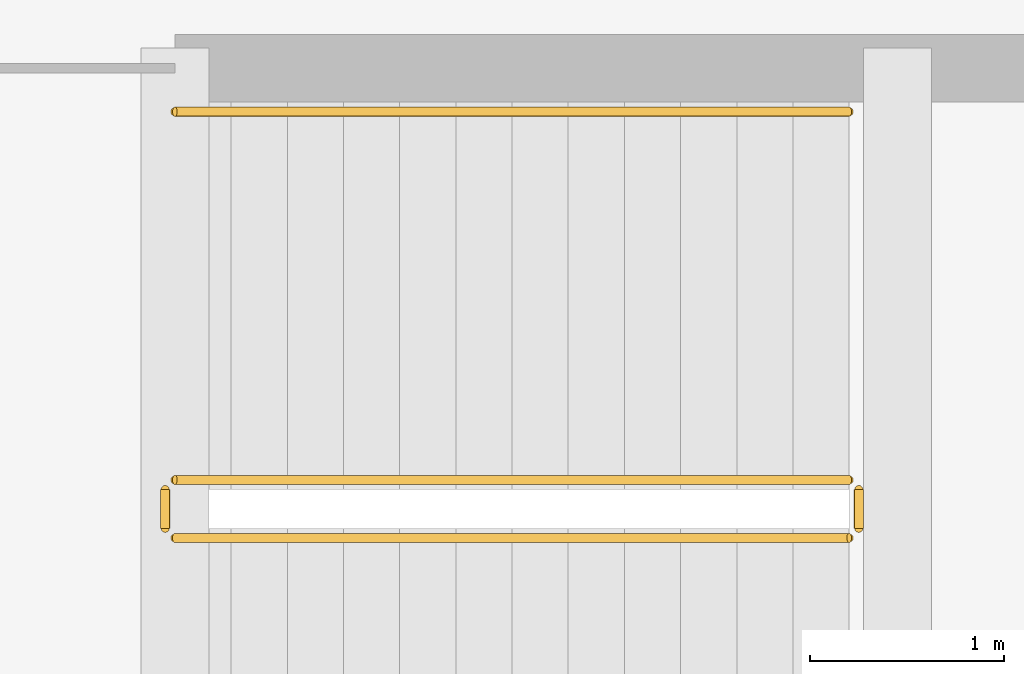
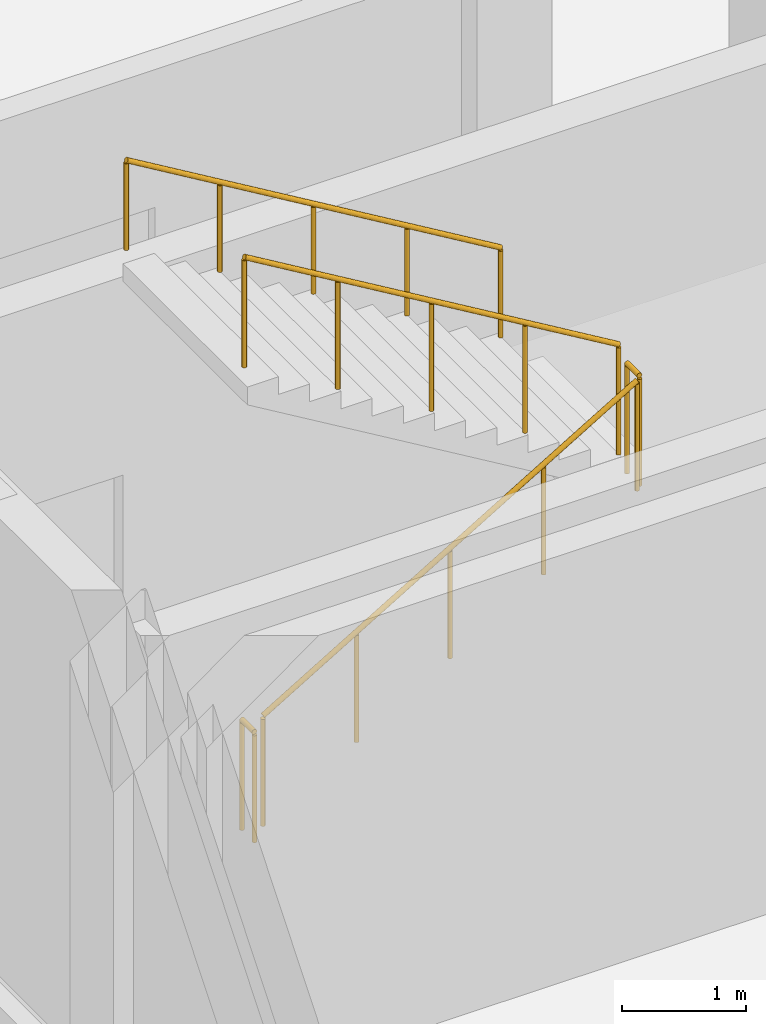
# One storey, part 35 of 37: 5 railings.
"""IFC4 building model written with IfcOpenShell, lengths in metres."""

from ifc_helpers import new_model, si_unit, direction, frame, origin, origin_2d, place, context, subcontext, project, spatial, circle, extrude, material, type_object, element, save


model = new_model("IFC4")

# Units and contexts
model_context = context("Model", 3, precision=1e-05, world=origin(), true_north=direction((0.0, 1.0)))
body_context = subcontext(model_context, "Body", "Model", "MODEL_VIEW")
ifc_project = project(units=[si_unit("LENGTHUNIT", "METRE"), si_unit("AREAUNIT", "SQUARE_METRE"), si_unit("VOLUMEUNIT", "CUBIC_METRE"), si_unit("PLANEANGLEUNIT", "RADIAN"), si_unit("MASSUNIT", "GRAM", prefix="KILO")], contexts=[model_context])

# Site, building, storey
site_placement = place(None, origin())
site = spatial("IfcSite", under=ifc_project, at=site_placement, CompositionType="ELEMENT")
building_placement = place(site_placement, origin())
building = spatial("IfcBuilding", under=site, at=building_placement, Name="Qorikala Patio Media Centre", CompositionType="ELEMENT")
storey_placement = place(building_placement, frame((0.0, 0.0, 14.39990234375)))
storey = spatial("IfcBuildingStorey", under=building, at=storey_placement, Name="L03", CompositionType="ELEMENT", Elevation=14.39990234375)

# Railings
ifc_material_1 = material(Name="Wrought Bronze and Steel S355", Category="steel")
railing_type_1 = type_object("IfcRailingType", Name="RL-GUARD-110", PredefinedType="GUARDRAIL", material=ifc_material_1)
railing_1_placement = place(storey_placement, frame((5.60009765625, 66.35009765625, 0.173095703125)))
element("IfcRailing", 1, at=railing_1_placement, inside=storey, type_object=railing_type_1, Name="L03 ST-3 stair guard 1", PredefinedType="GUARDRAIL", context=body_context, shape_type="SweptSolid", body=[
    extrude(circle(Radius=0.02392578125, at=origin_2d()), frame((0.0, 0.0, 1.076171875), z_axis=(0.858697190188, 0.0, 0.512483302717), x_axis=(0.0, 1.0, 0.0)), (0.0, 0.0, 1.0), 4.052734375),
    extrude(circle(Radius=0.02099609375, at=origin_2d()), origin(), (0.0, 0.0, 1.0), 1.052001953125),
    extrude(circle(Radius=0.02099609375, at=origin_2d()), frame((0.8701171875, 0.0, 0.519287109375)), (0.0, 0.0, 1.0), 1.052001953125),
    extrude(circle(Radius=0.02099609375, at=origin_2d()), frame((1.739990234375, 0.0, 1.03857421875)), (0.0, 0.0, 1.0), 1.052001953125),
    extrude(circle(Radius=0.02099609375, at=origin_2d()), frame((2.60986328125, 0.0, 1.5576171875)), (0.0, 0.0, 1.0), 1.052001953125),
    extrude(circle(Radius=0.02099609375, at=origin_2d()), frame((3.47998046875, 0.0, 2.076904296875)), (0.0, 0.0, 1.0), 1.052001953125),
])
railing_2_placement = place(storey_placement, frame((9.1298828125, 66.39990234375, 2.25)))
element("IfcRailing", 2, at=railing_2_placement, inside=storey, type_object=railing_type_1, Name="L03 ST-3 stair guard 2", PredefinedType="GUARDRAIL", context=body_context, shape_type="SweptSolid", body=[
    extrude(circle(Radius=0.02392578125, at=origin_2d()), frame((0.0, 0.0, 1.076171875), z_axis=(0.0, 1.0, 0.0), x_axis=(-1.0, 0.0, 0.0)), (0.0, 0.0, 1.0), 0.2001953125),
    extrude(circle(Radius=0.02099609375, at=origin_2d()), origin(), (0.0, 0.0, 1.0), 1.052001953125),
    extrude(circle(Radius=0.02099609375, at=origin_2d()), frame((0.0, 0.2001953125, 0.0)), (0.0, 0.0, 1.0), 1.052001953125),
])
railing_3_placement = place(storey_placement, frame((9.080078125, 66.64990234375, 2.423095703125)))
element("IfcRailing", 3, at=railing_3_placement, inside=storey, type_object=railing_type_1, Name="L03 ST-3 stair guard 3", PredefinedType="GUARDRAIL", context=body_context, shape_type="SweptSolid", body=[
    extrude(circle(Radius=0.02392578125, at=origin_2d()), frame((0.0, 0.0, 1.076171875), z_axis=(-0.858697190188, 0.0, 0.512483302717), x_axis=(0.0, -1.0, 0.0)), (0.0, 0.0, 1.0), 4.052734375),
    extrude(circle(Radius=0.02099609375, at=origin_2d()), origin(), (0.0, 0.0, 1.0), 1.052001953125),
    extrude(circle(Radius=0.02099609375, at=origin_2d()), frame((-0.8701171875, 0.0, 0.519287109375)), (0.0, 0.0, 1.0), 1.052001953125),
    extrude(circle(Radius=0.02099609375, at=origin_2d()), frame((-1.739990234375, 0.0, 1.03857421875)), (0.0, 0.0, 1.0), 1.052001953125),
    extrude(circle(Radius=0.02099609375, at=origin_2d()), frame((-2.60986328125, 0.0, 1.5576171875)), (0.0, 0.0, 1.0), 1.052001953125),
    extrude(circle(Radius=0.02099609375, at=origin_2d()), frame((-3.47998046875, 0.0, 2.076904296875)), (0.0, 0.0, 1.0), 1.052001953125),
])
railing_4_placement = place(storey_placement, frame((5.550048828125, 66.39990234375, 0.0)))
element("IfcRailing", 4, at=railing_4_placement, inside=storey, type_object=railing_type_1, Name="L03 ST-3 stair guard 4", PredefinedType="GUARDRAIL", context=body_context, shape_type="SweptSolid", body=[
    extrude(circle(Radius=0.02392578125, at=origin_2d()), frame((0.0, 0.0, 1.076171875), z_axis=(0.0, 1.0, 0.0), x_axis=(-1.0, 0.0, 0.0)), (0.0, 0.0, 1.0), 0.2001953125),
    extrude(circle(Radius=0.02099609375, at=origin_2d()), origin(), (0.0, 0.0, 1.0), 1.052001953125),
    extrude(circle(Radius=0.02099609375, at=origin_2d()), frame((0.0, 0.2001953125, 0.0)), (0.0, 0.0, 1.0), 1.052001953125),
])
ifc_material_2 = material(Name="Brushed Bronze Tubular Steel S355", Category="steel")
railing_type_2 = type_object("IfcRailingType", Name="RL-HAND-090", PredefinedType="HANDRAIL", material=ifc_material_2)
railing_5_placement = place(storey_placement, frame((9.080078125, 68.550048828125, 2.423095703125)))
element("IfcRailing", 5, at=railing_5_placement, inside=storey, type_object=railing_type_2, Name="L03 ST-3 stair handrail 2", PredefinedType="HANDRAIL", context=body_context, shape_type="SweptSolid", body=[
    extrude(circle(Radius=0.02392578125, at=origin_2d()), frame((0.0, 0.0, 0.8759765625), z_axis=(-0.858697190188, 0.0, 0.512483302717), x_axis=(0.0, -1.0, 0.0)), (0.0, 0.0, 1.0), 4.052734375),
    extrude(circle(Radius=0.02099609375, at=origin_2d()), origin(), (0.0, 0.0, 1.0), 0.851806640625),
    extrude(circle(Radius=0.02099609375, at=origin_2d()), frame((-0.8701171875, 0.0, 0.519287109375)), (0.0, 0.0, 1.0), 0.851806640625),
    extrude(circle(Radius=0.02099609375, at=origin_2d()), frame((-1.739990234375, 0.0, 1.03857421875)), (0.0, 0.0, 1.0), 0.851806640625),
    extrude(circle(Radius=0.02099609375, at=origin_2d()), frame((-2.60986328125, 0.0, 1.5576171875)), (0.0, 0.0, 1.0), 0.851806640625),
    extrude(circle(Radius=0.02099609375, at=origin_2d()), frame((-3.47998046875, 0.0, 2.076904296875)), (0.0, 0.0, 1.0), 0.851806640625),
])

save(model, "model.ifc")
